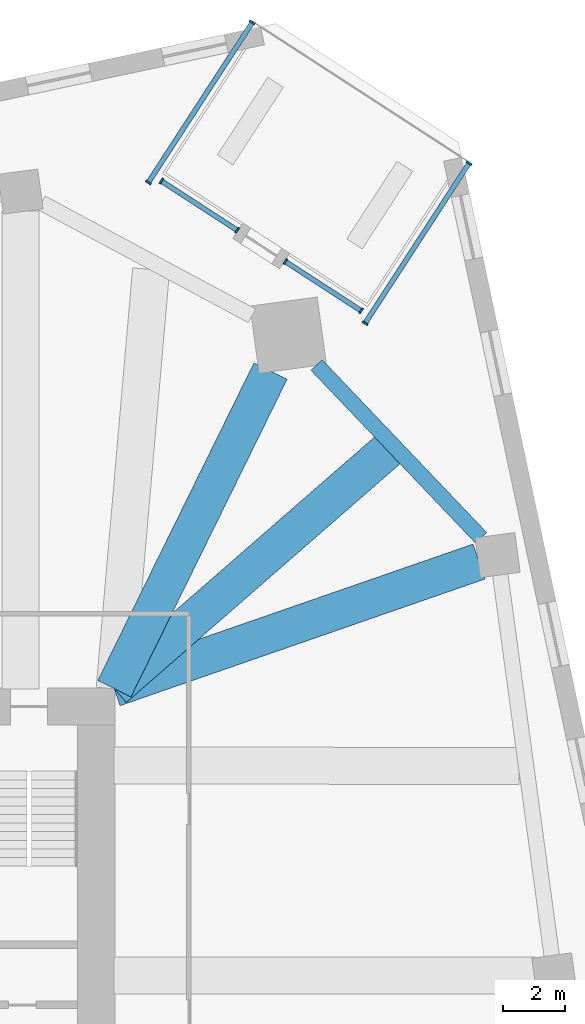
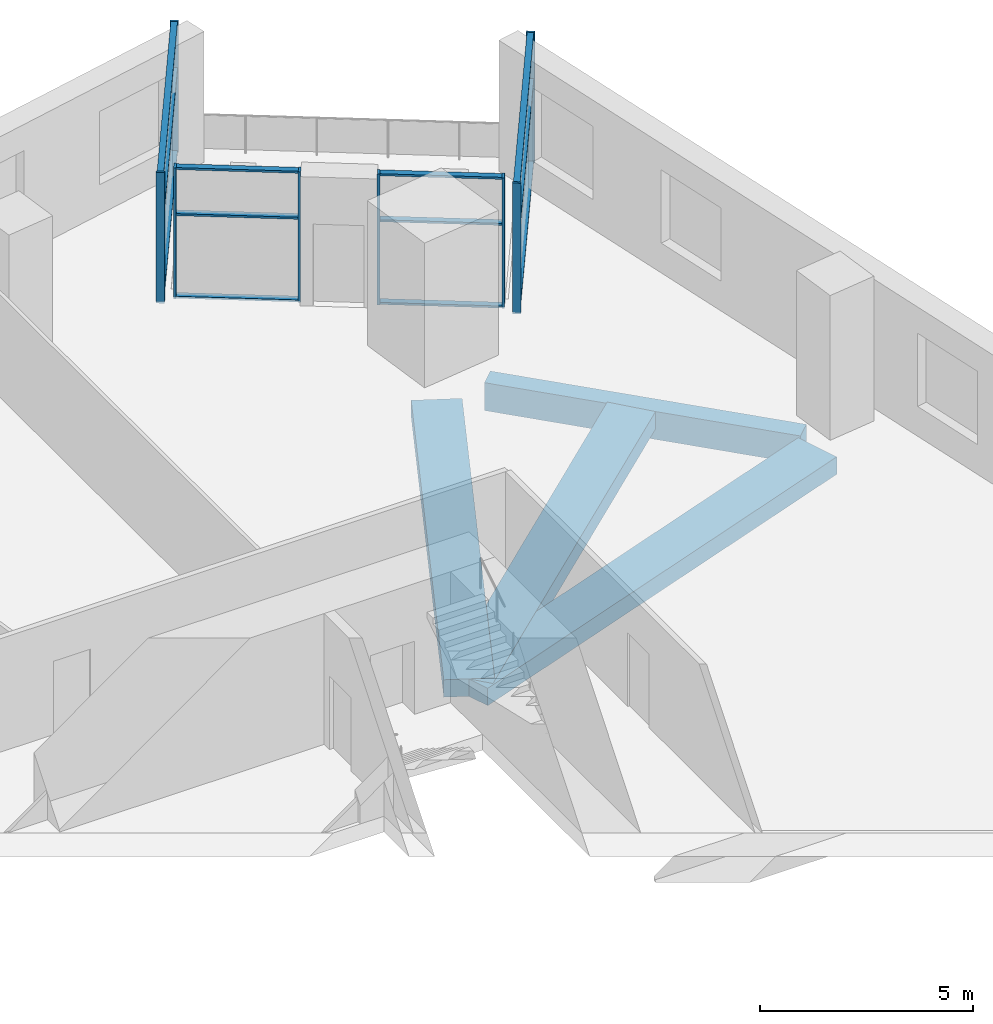
# One storey, part 2 of 10: 20 members, 4 beams, 4 elements without a shape of their own.
"""IFC4 building model written with IfcOpenShell, lengths in metres."""

from ifc_helpers import new_model, si_unit, direction, frame, origin, origin_2d, place, context, subcontext, project, spatial, rectangle, extrude, material, material_profile, profile_set, type_object, element, aggregate, save


model = new_model("IFC4")

# Units and contexts
model_context = context("Model", 3, precision=1e-05, world=origin(), true_north=direction((0.0, 1.0)))
body_context = subcontext(model_context, "Body", "Model", "MODEL_VIEW")
ifc_project = project(units=[si_unit("LENGTHUNIT", "METRE"), si_unit("AREAUNIT", "SQUARE_METRE"), si_unit("VOLUMEUNIT", "CUBIC_METRE"), si_unit("PLANEANGLEUNIT", "RADIAN"), si_unit("MASSUNIT", "GRAM", prefix="KILO")], contexts=[model_context])

# Site, building, storey
site_placement = place(None, origin())
site = spatial("IfcSite", under=ifc_project, at=site_placement, CompositionType="ELEMENT")
building_placement = place(site_placement, origin())
building = spatial("IfcBuilding", under=site, at=building_placement, Name="Dilmun Exchange Tower", CompositionType="ELEMENT")
storey_placement = place(building_placement, frame((0.0, 0.0, 72.300048828125)))
storey = spatial("IfcBuildingStorey", under=building, at=storey_placement, Name="L16", CompositionType="ELEMENT", Elevation=72.300048828125)

# Curtain wall, members
ifc_material_1 = material(Name="Anodised aluminium and clear glass", Category="aluminium")
curtain_wall_type = type_object("IfcCurtainWallType", Name="Garden corner glazing", PredefinedType="NOTDEFINED", material=ifc_material_1)
curtain_wall_1_placement = place(storey_placement, origin())
curtain_wall_1 = element("IfcCurtainWall", 1, at=curtain_wall_1_placement, inside=storey, type_object=curtain_wall_type, Name="Garden corner glazing run GC1.1", PredefinedType="NOTDEFINED")
ifc_material_2 = material(Name="Anodised aluminium", Category="aluminium")
ifc_material_profile_1 = material_profile(ifc_material_2, rectangle(XDim=0.199951171875, YDim=0.06005859375, at=origin_2d()), Name="AL 60x200")
ifc_profile_set_1 = profile_set([ifc_material_profile_1], Name="Anodised aluminium")
member_type_1 = type_object("IfcMemberType", Name="Garden corner glazing mullion 60 x 200", PredefinedType="MULLION", material=ifc_profile_set_1)
member_1_placement = place(storey_placement, frame((24.48583984375, 30.013427734375, 0.0), z_axis=(0.0, 0.0, 1.0), x_axis=(0.838667025641, -0.544644489647, 0.0)))
member_1 = element("IfcMember", 2, at=member_1_placement, type_object=member_type_1, Name="GC1.1 mullion 1", PredefinedType="MULLION", context=body_context, shape_type="SweptSolid", body=[
    extrude(rectangle(XDim=0.199951171875, YDim=0.06005859375, at=origin_2d()), origin(), (0.0, 0.0, 1.0), 3.75),
])
member_2_placement = place(storey_placement, frame((21.116455078125, 24.824951171875, 0.0), z_axis=(0.0, 0.0, 1.0), x_axis=(0.838667025641, -0.544644489647, 0.0)))
member_2 = element("IfcMember", 3, at=member_2_placement, type_object=member_type_1, Name="GC1.1 mullion 2", PredefinedType="MULLION", context=body_context, shape_type="SweptSolid", body=[
    extrude(rectangle(XDim=0.199951171875, YDim=0.06005859375, at=origin_2d()), origin(), (0.0, 0.0, 1.0), 3.75),
])

curtain_wall_2_placement = place(storey_placement, origin())
curtain_wall_2 = element("IfcCurtainWall", 4, at=curtain_wall_2_placement, inside=storey, type_object=curtain_wall_type, Name="Garden corner glazing run GC2.1", PredefinedType="NOTDEFINED")
member_3_placement = place(storey_placement, frame((20.98681640625, 25.231201171875, 0.0), z_axis=(0.0, 0.0, 1.0), x_axis=(-0.544630809498, -0.838675909601, 0.0)))
member_3 = element("IfcMember", 5, at=member_3_placement, type_object=member_type_1, Name="GC2.1 mullion 1", PredefinedType="MULLION", context=body_context, shape_type="SweptSolid", body=[
    extrude(rectangle(XDim=0.199951171875, YDim=0.06005859375, at=origin_2d()), origin(), (0.0, 0.0, 1.0), 3.75),
])
member_4_placement = place(storey_placement, frame((18.5302734375, 26.826416015625, 0.0), z_axis=(0.0, 0.0, 1.0), x_axis=(-0.544630809498, -0.838675909601, 0.0)))
member_4 = element("IfcMember", 6, at=member_4_placement, type_object=member_type_1, Name="GC2.1 mullion 2", PredefinedType="MULLION", context=body_context, shape_type="SweptSolid", body=[
    extrude(rectangle(XDim=0.199951171875, YDim=0.06005859375, at=origin_2d()), origin(), (0.0, 0.0, 1.0), 3.75),
])

curtain_wall_3_placement = place(storey_placement, origin())
curtain_wall_3 = element("IfcCurtainWall", 7, at=curtain_wall_3_placement, inside=storey, type_object=curtain_wall_type, Name="Garden corner glazing run GC2.3", PredefinedType="NOTDEFINED")
member_5_placement = place(storey_placement, frame((16.970458984375, 27.839599609375, 0.0), z_axis=(0.0, 0.0, 1.0), x_axis=(-0.544639059635, -0.838670551957, 0.0)))
member_5 = element("IfcMember", 8, at=member_5_placement, type_object=member_type_1, Name="GC2.3 mullion 1", PredefinedType="MULLION", context=body_context, shape_type="SweptSolid", body=[
    extrude(rectangle(XDim=0.199951171875, YDim=0.06005859375, at=origin_2d()), origin(), (0.0, 0.0, 1.0), 3.75),
])
member_6_placement = place(storey_placement, frame((14.513671875, 29.434814453125, 0.0), z_axis=(0.0, 0.0, 1.0), x_axis=(-0.544639059635, -0.838670551957, 0.0)))
member_6 = element("IfcMember", 9, at=member_6_placement, type_object=member_type_1, Name="GC2.3 mullion 2", PredefinedType="MULLION", context=body_context, shape_type="SweptSolid", body=[
    extrude(rectangle(XDim=0.199951171875, YDim=0.06005859375, at=origin_2d()), origin(), (0.0, 0.0, 1.0), 3.75),
])

curtain_wall_4_placement = place(storey_placement, origin())
curtain_wall_4 = element("IfcCurtainWall", 10, at=curtain_wall_4_placement, inside=storey, type_object=curtain_wall_type, Name="Garden corner glazing run GC3.1", PredefinedType="NOTDEFINED")
member_7_placement = place(storey_placement, frame((14.08984375, 29.387939453125, 0.0), z_axis=(0.0, 0.0, 1.0), x_axis=(-0.838671774431, 0.544637177185, 0.0)))
member_7 = element("IfcMember", 11, at=member_7_placement, type_object=member_type_1, Name="GC3.1 mullion 1", PredefinedType="MULLION", context=body_context, shape_type="SweptSolid", body=[
    extrude(rectangle(XDim=0.199951171875, YDim=0.06005859375, at=origin_2d()), origin(), (0.0, 0.0, 1.0), 3.75),
])
member_8_placement = place(storey_placement, frame((17.45947265625, 34.57666015625, 0.0), z_axis=(0.0, 0.0, 1.0), x_axis=(-0.838671774431, 0.544637177185, 0.0)))
member_8 = element("IfcMember", 12, at=member_8_placement, type_object=member_type_1, Name="GC3.1 mullion 2", PredefinedType="MULLION", context=body_context, shape_type="SweptSolid", body=[
    extrude(rectangle(XDim=0.199951171875, YDim=0.06005859375, at=origin_2d()), origin(), (0.0, 0.0, 1.0), 3.75),
])

# Member
ifc_material_profile_2 = material_profile(ifc_material_2, rectangle(XDim=0.159912109375, YDim=0.06005859375, at=origin_2d()), Name="AL 60x160")
ifc_profile_set_2 = profile_set([ifc_material_profile_2], Name="Anodised aluminium")
member_type_2 = type_object("IfcMemberType", Name="Garden corner glazing transom 60 x 160", PredefinedType="USERDEFINED", material=ifc_profile_set_2)
member_9_placement = place(storey_placement, frame((24.469482421875, 29.98828125, 0.030029296875), z_axis=(-0.544645123151, -0.838666614232, 0.0), x_axis=(0.838666614232, -0.544645123151, 0.0)))
member_9 = element("IfcMember", 13, at=member_9_placement, type_object=member_type_2, Name="GC1.1 transom 1.1", ObjectType="TRANSOM", PredefinedType="USERDEFINED", context=body_context, shape_type="SweptSolid", body=[
    extrude(rectangle(XDim=0.159912109375, YDim=0.06005859375, at=origin_2d()), origin(), (0.0, 0.0, 1.0), 6.126220703125),
])

member_10_placement = place(storey_placement, frame((24.469482421875, 29.98828125, 2.39990234375), z_axis=(-0.544645123151, -0.838666614232, 0.0), x_axis=(0.838666614232, -0.544645123151, 0.0)))
member_10 = element("IfcMember", 14, at=member_10_placement, type_object=member_type_2, Name="GC1.1 transom 1.2", ObjectType="TRANSOM", PredefinedType="USERDEFINED", context=body_context, shape_type="SweptSolid", body=[
    extrude(rectangle(XDim=0.159912109375, YDim=0.06005859375, at=origin_2d()), origin(), (0.0, 0.0, 1.0), 6.126220703125),
])

member_11_placement = place(storey_placement, frame((24.469482421875, 29.98828125, 3.719970703125), z_axis=(-0.544645123151, -0.838666614232, 0.0), x_axis=(0.838666614232, -0.544645123151, 0.0)))
member_11 = element("IfcMember", 15, at=member_11_placement, type_object=member_type_2, Name="GC1.1 transom 1.3", ObjectType="TRANSOM", PredefinedType="USERDEFINED", context=body_context, shape_type="SweptSolid", body=[
    extrude(rectangle(XDim=0.159912109375, YDim=0.06005859375, at=origin_2d()), origin(), (0.0, 0.0, 1.0), 6.126220703125),
])

aggregate(curtain_wall_1, [member_1, member_2, member_9, member_10, member_11])

member_12_placement = place(storey_placement, frame((20.961669921875, 25.24755859375, 0.030029296875), z_axis=(-0.838692381994, 0.544605442853, 0.0), x_axis=(-0.544605442853, -0.838692381994, 0.0)))
member_12 = element("IfcMember", 16, at=member_12_placement, type_object=member_type_2, Name="GC2.1 transom 1.1", ObjectType="TRANSOM", PredefinedType="USERDEFINED", context=body_context, shape_type="SweptSolid", body=[
    extrude(rectangle(XDim=0.159912109375, YDim=0.06005859375, at=origin_2d()), origin(), (0.0, 0.0, 1.0), 2.869140625),
])

member_13_placement = place(storey_placement, frame((20.961669921875, 25.24755859375, 2.39990234375), z_axis=(-0.838692381994, 0.544605442853, 0.0), x_axis=(-0.544605442853, -0.838692381994, 0.0)))
member_13 = element("IfcMember", 17, at=member_13_placement, type_object=member_type_2, Name="GC2.1 transom 1.2", ObjectType="TRANSOM", PredefinedType="USERDEFINED", context=body_context, shape_type="SweptSolid", body=[
    extrude(rectangle(XDim=0.159912109375, YDim=0.06005859375, at=origin_2d()), origin(), (0.0, 0.0, 1.0), 2.869140625),
])

member_14_placement = place(storey_placement, frame((20.961669921875, 25.24755859375, 3.719970703125), z_axis=(-0.838692381994, 0.544605442853, 0.0), x_axis=(-0.544605442853, -0.838692381994, 0.0)))
member_14 = element("IfcMember", 18, at=member_14_placement, type_object=member_type_2, Name="GC2.1 transom 1.3", ObjectType="TRANSOM", PredefinedType="USERDEFINED", context=body_context, shape_type="SweptSolid", body=[
    extrude(rectangle(XDim=0.159912109375, YDim=0.06005859375, at=origin_2d()), origin(), (0.0, 0.0, 1.0), 2.869140625),
])

aggregate(curtain_wall_2, [member_3, member_4, member_12, member_13, member_14])

member_15_placement = place(storey_placement, frame((16.945068359375, 27.85595703125, 0.030029296875), z_axis=(-0.838692381994, 0.544605442853, 0.0), x_axis=(-0.544605442853, -0.838692381994, 0.0)))
member_15 = element("IfcMember", 19, at=member_15_placement, type_object=member_type_2, Name="GC2.3 transom 1.1", ObjectType="TRANSOM", PredefinedType="USERDEFINED", context=body_context, shape_type="SweptSolid", body=[
    extrude(rectangle(XDim=0.159912109375, YDim=0.06005859375, at=origin_2d()), origin(), (0.0, 0.0, 1.0), 2.869140625),
])

member_16_placement = place(storey_placement, frame((16.945068359375, 27.85595703125, 2.39990234375), z_axis=(-0.838692381994, 0.544605442853, 0.0), x_axis=(-0.544605442853, -0.838692381994, 0.0)))
member_16 = element("IfcMember", 20, at=member_16_placement, type_object=member_type_2, Name="GC2.3 transom 1.2", ObjectType="TRANSOM", PredefinedType="USERDEFINED", context=body_context, shape_type="SweptSolid", body=[
    extrude(rectangle(XDim=0.159912109375, YDim=0.06005859375, at=origin_2d()), origin(), (0.0, 0.0, 1.0), 2.869140625),
])

member_17_placement = place(storey_placement, frame((16.945068359375, 27.85595703125, 3.719970703125), z_axis=(-0.838692381994, 0.544605442853, 0.0), x_axis=(-0.544605442853, -0.838692381994, 0.0)))
member_17 = element("IfcMember", 21, at=member_17_placement, type_object=member_type_2, Name="GC2.3 transom 1.3", ObjectType="TRANSOM", PredefinedType="USERDEFINED", context=body_context, shape_type="SweptSolid", body=[
    extrude(rectangle(XDim=0.159912109375, YDim=0.06005859375, at=origin_2d()), origin(), (0.0, 0.0, 1.0), 2.869140625),
])

aggregate(curtain_wall_3, [member_5, member_6, member_15, member_16, member_17])

member_18_placement = place(storey_placement, frame((14.106201171875, 29.413330078125, 0.030029296875), z_axis=(0.544673151983, 0.838648411141, 0.0), x_axis=(-0.838648411141, 0.544673151983, 0.0)))
member_18 = element("IfcMember", 22, at=member_18_placement, type_object=member_type_2, Name="GC3.1 transom 1.1", ObjectType="TRANSOM", PredefinedType="USERDEFINED", context=body_context, shape_type="SweptSolid", body=[
    extrude(rectangle(XDim=0.159912109375, YDim=0.06005859375, at=origin_2d()), origin(), (0.0, 0.0, 1.0), 6.12646484375),
])

member_19_placement = place(storey_placement, frame((14.106201171875, 29.413330078125, 2.39990234375), z_axis=(0.544673151983, 0.838648411141, 0.0), x_axis=(-0.838648411141, 0.544673151983, 0.0)))
member_19 = element("IfcMember", 23, at=member_19_placement, type_object=member_type_2, Name="GC3.1 transom 1.2", ObjectType="TRANSOM", PredefinedType="USERDEFINED", context=body_context, shape_type="SweptSolid", body=[
    extrude(rectangle(XDim=0.159912109375, YDim=0.06005859375, at=origin_2d()), origin(), (0.0, 0.0, 1.0), 6.12646484375),
])

member_20_placement = place(storey_placement, frame((14.106201171875, 29.413330078125, 3.719970703125), z_axis=(0.544673151983, 0.838648411141, 0.0), x_axis=(-0.838648411141, 0.544673151983, 0.0)))
member_20 = element("IfcMember", 24, at=member_20_placement, type_object=member_type_2, Name="GC3.1 transom 1.3", ObjectType="TRANSOM", PredefinedType="USERDEFINED", context=body_context, shape_type="SweptSolid", body=[
    extrude(rectangle(XDim=0.159912109375, YDim=0.06005859375, at=origin_2d()), origin(), (0.0, 0.0, 1.0), 6.12646484375),
])

aggregate(curtain_wall_4, [member_7, member_8, member_18, member_19, member_20])

# Beams
ifc_material_3 = material(Name="Concrete C40/50", Category="concrete")
ifc_material_profile_3 = material_profile(ifc_material_3, rectangle(XDim=1.199951171875, YDim=0.5, at=origin_2d()), Name="1200 x 500")
ifc_profile_set_3 = profile_set([ifc_material_profile_3], Name="Concrete C40/50")
beam_type_1 = type_object("IfcBeamType", Name="RC band beam 1200 x 500 C40/50", PredefinedType="BEAM", material=ifc_profile_set_3)
beam_1_placement = place(storey_placement, frame((18.049560546875, 23.272216796875, -0.699951171875), z_axis=(-0.44116009834, -0.897428419225, 0.0), x_axis=(0.897428419225, -0.44116009834, 0.0)))
element("IfcBeam", 25, at=beam_1_placement, inside=storey, type_object=beam_type_1, Name="Band beam 1", PredefinedType="BEAM", context=body_context, shape_type="SweptSolid", body=[
    extrude(rectangle(XDim=1.199951171875, YDim=0.5, at=origin_2d()), origin(), (0.0, 0.0, 1.0), 11.47314453125),
])
beam_2_placement = place(storey_placement, frame((24.81103515625, 17.098388671875, -0.699951171875), z_axis=(-0.94474023201, -0.327819910959, 0.0), x_axis=(0.327819910959, -0.94474023201, 0.0)))
element("IfcBeam", 26, at=beam_2_placement, inside=storey, type_object=beam_type_1, Name="Band beam 16", PredefinedType="BEAM", context=body_context, shape_type="SweptSolid", body=[
    extrude(rectangle(XDim=1.199951171875, YDim=0.5, at=origin_2d()), origin(), (0.0, 0.0, 1.0), 12.52880859375),
])
beam_3_placement = place(storey_placement, frame((21.85546875, 20.71826171875, -0.699951171875), z_axis=(-0.75384567582, -0.657051517803, 0.0), x_axis=(0.657051517803, -0.75384567582, 0.0)))
element("IfcBeam", 27, at=beam_3_placement, inside=storey, type_object=beam_type_1, Name="Band beam 32", PredefinedType="BEAM", context=body_context, shape_type="SweptSolid", body=[
    extrude(rectangle(XDim=1.199951171875, YDim=0.5, at=origin_2d()), origin(), (0.0, 0.0, 1.0), 11.77392578125),
])
ifc_material_profile_4 = material_profile(ifc_material_3, rectangle(XDim=0.5, YDim=0.800048828125, at=origin_2d()), Name="500 x 800")
ifc_profile_set_4 = profile_set([ifc_material_profile_4], Name="Concrete C40/50")
beam_type_2 = type_object("IfcBeamType", Name="RC ring beam 500 x 800 C40/50", PredefinedType="SPANDREL", material=ifc_profile_set_4)
beam_4_placement = place(storey_placement, frame((24.877197265625, 17.86865234375, -0.85009765625), z_axis=(-0.689624451134, 0.724167188154, 0.0), x_axis=(-0.724167188154, -0.689624451134, 0.0)))
element("IfcBeam", 28, at=beam_4_placement, inside=storey, type_object=beam_type_2, Name="Ring beam 16", PredefinedType="SPANDREL", context=body_context, shape_type="SweptSolid", body=[
    extrude(rectangle(XDim=0.5, YDim=0.800048828125, at=origin_2d()), origin(), (0.0, 0.0, 1.0), 7.7392578125),
])

save(model, "model.ifc")
